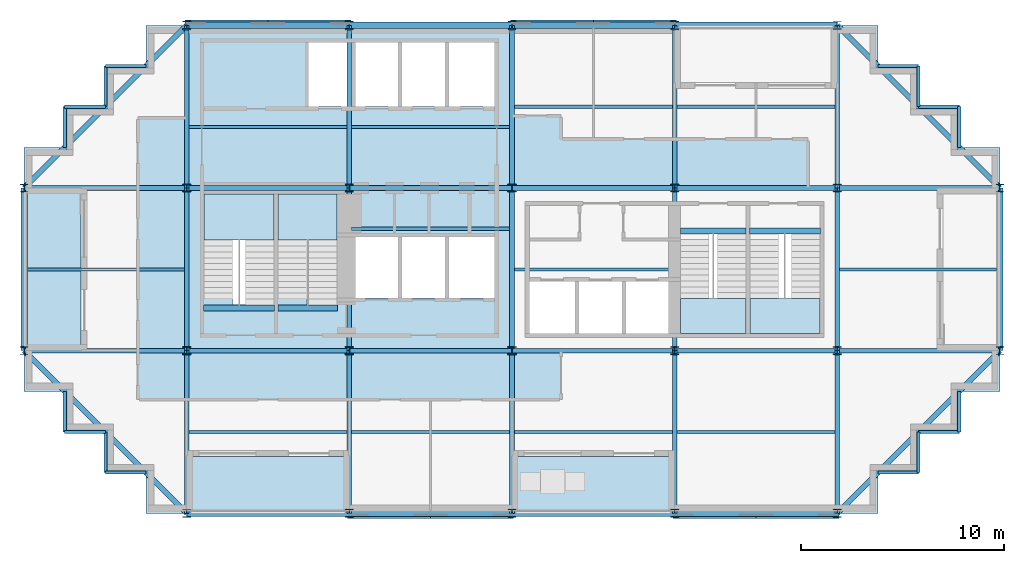
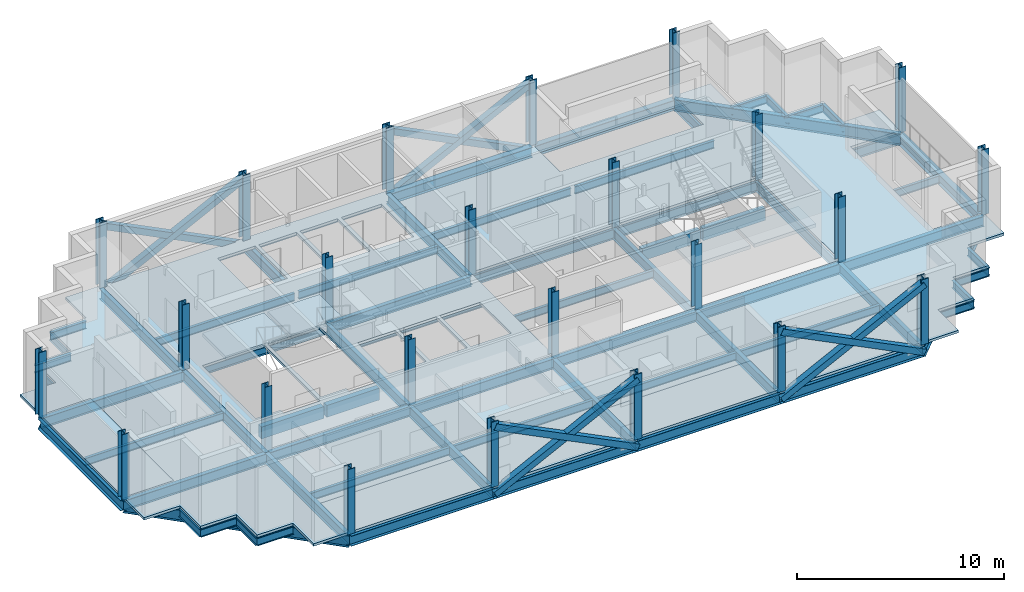
# One storey, part 1 of 8: 73 beams, 24 columns, 9 slabs, 8 members, 4 elements without a shape of their own.
"""IFC4 building model written with IfcOpenShell, lengths in metres."""

import ifcopenshell
import ifcopenshell.guid

model = None  # the IFC model being written
_history = None  # IfcOwnerHistory: only IFC2X3 demands one
_inside = {}  # id of a spatial element -> (the spatial element, [elements in it])
_under = {}  # id of a project, library or spatial element -> (it, [spatial elements below it])
_declared = {}  # id of a project -> (the project, [libraries it declares])
_typed = {}  # id of a type object -> (the type object, [elements of that type])
_made_of = {}  # id of a material, layer set ... -> (it, [elements and type objects made of it])


def new_model(schema):
    """Start an empty IFC model of exactly this schema.

    Asked for "IFC4X3", IfcOpenShell would pick the latest addendum, in which some entities
    have other attributes; the version numbers below select the first issue.
    IFC2X3 requires an IfcOwnerHistory on every rooted entity: one is made here for all.
    """
    global model, _history
    if schema == "IFC4X3":
        model = ifcopenshell.file(schema_version=(4, 3, 0, 0))
    else:
        model = ifcopenshell.file(schema=schema)
    _inside.clear()
    _under.clear()
    _declared.clear()
    _typed.clear()
    _made_of.clear()
    _history = None
    if model.schema == "IFC2X3":
        org = make("IfcOrganization", Name="unknown")
        user = make(
            "IfcPersonAndOrganization",
            ThePerson=make("IfcPerson", FamilyName="unknown"),
            TheOrganization=org,
        )
        app = make(
            "IfcApplication",
            ApplicationDeveloper=org,
            Version="unknown",
            ApplicationFullName="unknown",
            ApplicationIdentifier="unknown",
        )
        _history = make(
            "IfcOwnerHistory",
            OwningUser=user,
            OwningApplication=app,
            ChangeAction="ADDED",
            CreationDate=0,
        )
    return model


def make(cls, **values):
    """One entity of the class cls with the attributes given. An attribute that is None is left unset."""
    return model.create_entity(
        cls, **{name: value for name, value in values.items() if value is not None}
    )


def rooted(cls, **values):
    """An entity with a GlobalId (a new one), such as an element, a storey or a relation."""
    return make(cls, GlobalId=ifcopenshell.guid.new(), OwnerHistory=_history, **values)


def si_unit(unit_type, name, prefix=None):
    """IfcSIUnit, for example si_unit("LENGTHUNIT", "METRE", prefix="MILLI")."""
    return make("IfcSIUnit", UnitType=unit_type, Prefix=prefix, Name=name)


def assignment(units):
    """IfcUnitAssignment: the units of a project."""
    return None if units is None else make("IfcUnitAssignment", Units=units)


def point(xyz):
    """IfcCartesianPoint."""
    return None if xyz is None else make("IfcCartesianPoint", Coordinates=xyz)


def direction(xyz):
    """IfcDirection."""
    return None if xyz is None else make("IfcDirection", DirectionRatios=xyz)


def frame(location, z_axis=None, x_axis=None):
    """IfcAxis2Placement3D, a coordinate frame: its origin and axes. An axis left out is left unset."""
    return make(
        "IfcAxis2Placement3D",
        Location=point(location),
        Axis=direction(z_axis),
        RefDirection=direction(x_axis),
    )


def frame_2d(location, x_axis=None):
    """IfcAxis2Placement2D, a coordinate frame in the plane: its origin and x axis."""
    return make(
        "IfcAxis2Placement2D", Location=point(location), RefDirection=direction(x_axis)
    )


def origin():
    """The frame at (0, 0, 0) with its axes left unset."""
    return frame((0.0, 0.0, 0.0))


def origin_2d():
    """The frame at (0, 0) in the plane with its x axis left unset."""
    return frame_2d((0.0, 0.0))


def place(relative_to, where):
    """IfcLocalPlacement: puts the frame where relative to a parent placement (None: the world)."""
    return make(
        "IfcLocalPlacement", PlacementRelTo=relative_to, RelativePlacement=where
    )


def context(
    kind, dimensions, precision=None, world=None, true_north=None, identifier=None
):
    """IfcGeometricRepresentationContext, for example the 3D "Model" context."""
    return make(
        "IfcGeometricRepresentationContext",
        ContextIdentifier=identifier,
        ContextType=kind,
        CoordinateSpaceDimension=dimensions,
        Precision=precision,
        WorldCoordinateSystem=world,
        TrueNorth=true_north,
    )


def subcontext(parent, identifier, kind, view, scale=None):
    """IfcGeometricRepresentationSubContext, for example "Body" below "Model"."""
    return make(
        "IfcGeometricRepresentationSubContext",
        ContextIdentifier=identifier,
        ContextType=kind,
        ParentContext=parent,
        TargetScale=scale,
        TargetView=view,
    )


def project(units=None, contexts=None):
    """IfcProject with its units and contexts."""
    return rooted(
        "IfcProject",
        Name="project",
        RepresentationContexts=contexts,
        UnitsInContext=assignment(units),
    )


def spatial(cls, under=None, at=None, **own):
    """A site, building, storey or space (cls), placed at a placement, below another one or the project."""
    s = rooted(cls, ObjectPlacement=at, **own)
    if under is not None:
        _under.setdefault(under.id(), (under, []))[1].append(s)
    return s


def polyline(points):
    """IfcPolyline through the points."""
    return make("IfcPolyline", Points=[point(p) for p in points])


def profile(cls, at=None, kind="AREA", **sizes):
    """A parametric profile (cls). Its sizes go by their IFC names, for example OverallWidth=200.0."""
    return make(cls, ProfileType=kind, Position=at, **sizes)


def rectangle(**sizes):
    """IfcRectangleProfileDef."""
    return profile("IfcRectangleProfileDef", **sizes)


def hollow_rectangle(**sizes):
    """IfcRectangleHollowProfileDef."""
    return profile("IfcRectangleHollowProfileDef", **sizes)


def i_section(**sizes):
    """IfcIShapeProfileDef."""
    return profile("IfcIShapeProfileDef", **sizes)


def outline(outer, holes=None, kind="AREA"):
    """IfcArbitraryClosedProfileDef: a profile drawn as a closed curve; with holes, ...WithVoids."""
    if holes is None:
        return make("IfcArbitraryClosedProfileDef", ProfileType=kind, OuterCurve=outer)
    return make(
        "IfcArbitraryProfileDefWithVoids",
        ProfileType=kind,
        OuterCurve=outer,
        InnerCurves=holes,
    )


def extrude(swept, where, along, depth):
    """IfcExtrudedAreaSolid: the profile swept, set in the frame where, extruded along a direction by depth."""
    return make(
        "IfcExtrudedAreaSolid",
        SweptArea=swept,
        Position=where,
        ExtrudedDirection=direction(along),
        Depth=depth,
    )


def shape(context_of_items, identifier, shape_type, items):
    """IfcShapeRepresentation: the items that make up one representation, for example the "Body"."""
    return make(
        "IfcShapeRepresentation",
        ContextOfItems=context_of_items,
        RepresentationIdentifier=identifier,
        RepresentationType=shape_type,
        Items=items,
    )


def material(Name=None, Category=None):
    """IfcMaterial."""
    return make("IfcMaterial", Name=Name, Category=Category)


def layer(
    of_material, thickness, ventilated=None, Name=None, Category=None, Priority=None
):
    """IfcMaterialLayer: one layer of a wall or slab, of a material (None: an air gap)."""
    return make(
        "IfcMaterialLayer",
        Material=of_material,
        LayerThickness=thickness,
        IsVentilated=ventilated,
        Name=Name,
        Category=Category,
        Priority=Priority,
    )


def layer_set(layers, Name=None):
    """IfcMaterialLayerSet."""
    return make("IfcMaterialLayerSet", MaterialLayers=layers, LayerSetName=Name)


def material_profile(
    of_material, cross_section, Name=None, Category=None, Priority=None
):
    """IfcMaterialProfile: a cross section and its material."""
    return make(
        "IfcMaterialProfile",
        Name=Name,
        Material=of_material,
        Profile=cross_section,
        Priority=Priority,
        Category=Category,
    )


def profile_set(profiles, Name=None, composite=None):
    """IfcMaterialProfileSet."""
    return make(
        "IfcMaterialProfileSet",
        Name=Name,
        MaterialProfiles=profiles,
        CompositeProfile=composite,
    )


def made_of(thing, what):
    """Note that an element or type object is made of a material, layer set ...; save() writes the relation."""
    if what is not None:
        _made_of.setdefault(what.id(), (what, []))[1].append(thing)
    return thing


def type_object(cls, material=None, **own):
    """A type object (cls), such as IfcWallType, which elements share."""
    return made_of(rooted(cls, **own), material)


def element(
    cls,
    number,
    at=None,
    inside=None,
    cuts=None,
    type_object=None,
    material=None,
    context=None,
    identifier="Body",
    shape_type=None,
    held_by="IfcProductDefinitionShape",
    body=None,
    shapes=None,
    **own,
):
    """One element of the class cls, such as IfcWall. Its Tag is "e" and its number.

    at: its placement. inside: the storey or other place that contains it. cuts: it is an
    opening in that element (IfcRelVoidsElement). A single representation is given by context,
    identifier, shape_type and body (its items); several are given by shapes. held_by: the class
    of the entity that holds the representations. save() writes the other relations.
    """
    e = rooted(cls, Tag="e%d" % number, ObjectPlacement=at, **own)
    if body is not None:
        shapes = [shape(context, identifier, shape_type, body)]
    if shapes is not None:
        e.Representation = make(held_by, Representations=shapes)
    if inside is not None:
        _inside.setdefault(inside.id(), (inside, []))[1].append(e)
    if cuts is not None:
        rooted(
            "IfcRelVoidsElement", RelatingBuildingElement=cuts, RelatedOpeningElement=e
        )
    if type_object is not None:
        _typed.setdefault(type_object.id(), (type_object, []))[1].append(e)
    return made_of(e, material)


def aggregate(whole, parts):
    """IfcRelAggregates: a whole, such as a stair, and the parts it consists of."""
    return rooted("IfcRelAggregates", RelatingObject=whole, RelatedObjects=parts)


def save(model, path):
    """Write the relations noted so far, then the file.

    IfcRelAggregates (storeys below a building ...), IfcRelContainedInSpatialStructure (elements
    in a storey), IfcRelDefinesByType, IfcRelAssociatesMaterial and IfcRelDeclares: one each for
    every whole, place, type object, material and project.
    """
    for whole, parts in _under.values():
        aggregate(whole, parts)
    for where, things in _inside.values():
        rooted(
            "IfcRelContainedInSpatialStructure",
            RelatedElements=things,
            RelatingStructure=where,
        )
    for kind, things in _typed.values():
        rooted("IfcRelDefinesByType", RelatedObjects=things, RelatingType=kind)
    for what, things in _made_of.values():
        rooted("IfcRelAssociatesMaterial", RelatedObjects=things, RelatingMaterial=what)
    for by, libraries in _declared.values():
        rooted("IfcRelDeclares", RelatingContext=by, RelatedDefinitions=libraries)
    model.write(path)


model = new_model("IFC4")

# Units and contexts
model_context = context("Model", 3, precision=1e-05, world=origin(), true_north=direction((0.0, 1.0)))
body_context = subcontext(model_context, "Body", "Model", "MODEL_VIEW")
ifc_project = project(units=[si_unit("LENGTHUNIT", "METRE"), si_unit("AREAUNIT", "SQUARE_METRE"), si_unit("VOLUMEUNIT", "CUBIC_METRE"), si_unit("PLANEANGLEUNIT", "RADIAN"), si_unit("MASSUNIT", "GRAM", prefix="KILO")], contexts=[model_context])

# Site, building, storey
site_placement = place(None, origin())
site = spatial("IfcSite", under=ifc_project, at=site_placement, CompositionType="ELEMENT")
building_placement = place(site_placement, origin())
building = spatial("IfcBuilding", under=site, at=building_placement, Name="Immortelle Media Tower", CompositionType="ELEMENT")
storey_placement = place(building_placement, frame((0.0, 0.0, 201.0)))
storey = spatial("IfcBuildingStorey", under=building, at=storey_placement, Name="L42", CompositionType="ELEMENT", Elevation=201.0)

# Columns
ifc_material_1 = material(Name="Steel ASTM A992 Gr 50", Category="steel")
ifc_material_profile_1 = material_profile(ifc_material_1, i_section(OverallWidth=0.39404296875, OverallDepth=0.3759765625, WebThickness=0.01708984375, FlangeThickness=0.028076171875, at=origin_2d()), Name="W14x145")
ifc_profile_set_1 = profile_set([ifc_material_profile_1], Name="Steel ASTM A992 Gr 50")
column_type_1 = type_object("IfcColumnType", Name="W14x145 column", PredefinedType="COLUMN", material=ifc_profile_set_1)
for number, where, z_axis, x_axis, name in (
    (1, (8.0, 8.0, 0.0), (0.0, 0.0, 1.0), (1.0, 0.0, 0.0), "Column 2/B"),
    (2, (8.0, 16.0, 0.0), (0.0, 0.0, 1.0), (1.0, 0.0, 0.0), "Column 2/C"),
    (3, (16.0, 8.0, 0.0), (0.0, 0.0, 1.0), (1.0, 0.0, 0.0), "Column 3/B"),
    (4, (16.0, 16.0, 0.0), (0.0, 0.0, 1.0), (1.0, 0.0, 0.0), "Column 3/C"),
    (5, (32.0, 8.0, 0.0), (0.0, 0.0, 1.0), (1.0, 0.0, 0.0), "Column 5/B"),
    (6, (32.0, 16.0, 0.0), (0.0, 0.0, 1.0), (1.0, 0.0, 0.0), "Column 5/C"),
    (7, (40.0, 8.0, 0.0), (0.0, 0.0, 1.0), (1.0, 0.0, 0.0), "Column 6/B"),
    (8, (40.0, 16.0, 0.0), (0.0, 0.0, 1.0), (1.0, 0.0, 0.0), "Column 6/C"),
):
    element("IfcColumn", number, at=place(storey_placement, frame(where, z_axis=z_axis, x_axis=x_axis)), inside=storey, type_object=column_type_1, Name=name, PredefinedType="COLUMN", context=body_context, shape_type="SweptSolid", body=[
        extrude(i_section(OverallWidth=0.39404296875, OverallDepth=0.3759765625, WebThickness=0.01708984375, FlangeThickness=0.028076171875, at=origin_2d()), origin(), (0.0, 0.0, 1.0), 3.85009765625),
    ])
ifc_material_profile_2 = material_profile(ifc_material_1, i_section(OverallWidth=0.39892578125, OverallDepth=0.385986328125, WebThickness=0.02099609375, FlangeThickness=0.032958984375, at=origin_2d()), Name="W14x176")
ifc_profile_set_2 = profile_set([ifc_material_profile_2], Name="Steel ASTM A992 Gr 50")
column_type_2 = type_object("IfcColumnType", Name="W14x176 column", PredefinedType="COLUMN", material=ifc_profile_set_2)
for number, where, z_axis, x_axis, name in (
    (9, (24.0, 8.0, 0.0), (0.0, 0.0, 1.0), (1.0, 0.0, 0.0), "Column 4/B"),
    (10, (24.0, 16.0, 0.0), (0.0, 0.0, 1.0), (1.0, 0.0, 0.0), "Column 4/C"),
):
    element("IfcColumn", number, at=place(storey_placement, frame(where, z_axis=z_axis, x_axis=x_axis)), inside=storey, type_object=column_type_2, Name=name, PredefinedType="COLUMN", context=body_context, shape_type="SweptSolid", body=[
        extrude(i_section(OverallWidth=0.39892578125, OverallDepth=0.385986328125, WebThickness=0.02099609375, FlangeThickness=0.032958984375, at=origin_2d()), origin(), (0.0, 0.0, 1.0), 3.85009765625),
    ])
ifc_material_profile_3 = material_profile(ifc_material_1, i_section(OverallWidth=0.40087890625, OverallDepth=0.39892578125, WebThickness=0.02490234375, FlangeThickness=0.0400390625, at=origin_2d()), Name="W14x211")
ifc_profile_set_3 = profile_set([ifc_material_profile_3], Name="Steel ASTM A992 Gr 50")
column_type_3 = type_object("IfcColumnType", Name="W14x211 column", PredefinedType="COLUMN", material=ifc_profile_set_3)
for number, where, z_axis, x_axis, name in (
    (11, (0.0, 8.0, 0.0), (0.0, 0.0, 1.0), (1.0, 0.0, 0.0), "Column 1/B"),
    (12, (0.0, 16.0, 0.0), (0.0, 0.0, 1.0), (1.0, 0.0, 0.0), "Column 1/C"),
    (13, (8.0, 0.0, 0.0), (0.0, 0.0, 1.0), (1.0, 0.0, 0.0), "Column 2/A"),
    (14, (40.0, 24.0, 0.0), (0.0, 0.0, 1.0), (1.0, 0.0, 0.0), "Column 6/D"),
    (15, (48.0, 8.0, 0.0), (0.0, 0.0, 1.0), (1.0, 0.0, 0.0), "Column 7/B"),
    (16, (48.0, 16.0, 0.0), (0.0, 0.0, 1.0), (1.0, 0.0, 0.0), "Column 7/C"),
):
    element("IfcColumn", number, at=place(storey_placement, frame(where, z_axis=z_axis, x_axis=x_axis)), inside=storey, type_object=column_type_3, Name=name, PredefinedType="COLUMN", context=body_context, shape_type="SweptSolid", body=[
        extrude(i_section(OverallWidth=0.40087890625, OverallDepth=0.39892578125, WebThickness=0.02490234375, FlangeThickness=0.0400390625, at=origin_2d()), origin(), (0.0, 0.0, 1.0), 3.85009765625),
    ])
ifc_material_profile_4 = material_profile(ifc_material_1, i_section(OverallWidth=0.410888671875, OverallDepth=0.43408203125, WebThickness=0.035888671875, FlangeThickness=0.056884765625, at=origin_2d()), Name="W14x311")
ifc_profile_set_4 = profile_set([ifc_material_profile_4], Name="Steel ASTM A992 Gr 50")
column_type_4 = type_object("IfcColumnType", Name="W14x311 column", PredefinedType="COLUMN", material=ifc_profile_set_4)
for number, where, z_axis, x_axis, name in (
    (17, (8.0, 24.0, 0.0), (0.0, 0.0, 1.0), (1.0, 0.0, 0.0), "Column 2/D"),
    (18, (16.0, 0.0, 0.0), (0.0, 0.0, 1.0), (1.0, 0.0, 0.0), "Column 3/A"),
    (19, (16.0, 24.0, 0.0), (0.0, 0.0, 1.0), (1.0, 0.0, 0.0), "Column 3/D"),
    (20, (24.0, 0.0, 0.0), (0.0, 0.0, 1.0), (1.0, 0.0, 0.0), "Column 4/A"),
    (21, (24.0, 24.0, 0.0), (0.0, 0.0, 1.0), (1.0, 0.0, 0.0), "Column 4/D"),
    (22, (32.0, 0.0, 0.0), (0.0, 0.0, 1.0), (1.0, 0.0, 0.0), "Column 5/A"),
    (23, (32.0, 24.0, 0.0), (0.0, 0.0, 1.0), (1.0, 0.0, 0.0), "Column 5/D"),
    (24, (40.0, 0.0, 0.0), (0.0, 0.0, 1.0), (1.0, 0.0, 0.0), "Column 6/A"),
):
    element("IfcColumn", number, at=place(storey_placement, frame(where, z_axis=z_axis, x_axis=x_axis)), inside=storey, type_object=column_type_4, Name=name, PredefinedType="COLUMN", context=body_context, shape_type="SweptSolid", body=[
        extrude(i_section(OverallWidth=0.410888671875, OverallDepth=0.43408203125, WebThickness=0.035888671875, FlangeThickness=0.056884765625, at=origin_2d()), origin(), (0.0, 0.0, 1.0), 3.85009765625),
    ])

# Members
ifc_material_2 = material(Name="Steel ASTM A500 Gr C", Category="steel")
ifc_material_profile_5 = material_profile(ifc_material_2, hollow_rectangle(XDim=0.35595703125, YDim=0.35595703125, WallThickness=0.011962890625, at=origin_2d()), Name="HSS14x14x1/2 brace")
ifc_profile_set_5 = profile_set([ifc_material_profile_5], Name="Steel ASTM A500 Gr C")
member_type = type_object("IfcMemberType", Name="HSS14x14x1/2 brace", PredefinedType="BRACE", material=ifc_profile_set_5)
for number, where, z_axis, x_axis, name in (
    (25, (16.0, -0.087890625, -0.4560546875), (0.894427191, 0.0, 0.4472135955), (0.0, 1.0, 0.0), "Brace A/3-4 A"),
    (26, (16.0, -0.087890625, 3.5439453125), (0.894427191, 0.0, -0.4472135955), (0.0, 1.0, 0.0), "Brace A/3-4 B"),
    (27, (32.0, -0.087890625, -0.4560546875), (0.894427191, 0.0, 0.4472135955), (0.0, 1.0, 0.0), "Brace A/5-6 A"),
    (28, (32.0, -0.087890625, 3.5439453125), (0.894427191, 0.0, -0.4472135955), (0.0, 1.0, 0.0), "Brace A/5-6 B"),
    (29, (32.0, 24.087890625, -0.4560546875), (-0.894427191, 0.0, 0.4472135955), (0.0, -1.0, 0.0), "Brace D/4-5 A"),
    (30, (32.0, 24.087890625, 3.5439453125), (-0.894427191, 0.0, -0.4472135955), (0.0, -1.0, 0.0), "Brace D/4-5 B"),
    (31, (16.0, 24.087890625, -0.4560546875), (-0.894427191, 0.0, 0.4472135955), (0.0, -1.0, 0.0), "Brace D/2-3 A"),
    (32, (16.0, 24.087890625, 3.5439453125), (-0.894427191, 0.0, -0.4472135955), (0.0, -1.0, 0.0), "Brace D/2-3 B"),
):
    element("IfcMember", number, at=place(storey_placement, frame(where, z_axis=z_axis, x_axis=x_axis)), inside=storey, type_object=member_type, Name=name, PredefinedType="BRACE", context=body_context, shape_type="SweptSolid", body=[
        extrude(hollow_rectangle(XDim=0.35595703125, YDim=0.35595703125, WallThickness=0.011962890625, at=origin_2d()), origin(), (0.0, 0.0, 1.0), 8.9443359375),
    ])

# Beams
ifc_material_3 = material(Name="Concrete C50/60", Category="concrete")
ifc_material_profile_6 = material_profile(ifc_material_3, rectangle(XDim=0.300048828125, YDim=0.699951171875, at=origin_2d()), Name="RC 300x700")
ifc_profile_set_6 = profile_set([ifc_material_profile_6], Name="Concrete C50/60")
beam_type_1 = type_object("IfcBeamType", Name="Stair trimmer beam 300 x 700", PredefinedType="BEAM", material=ifc_profile_set_6)
beam_1_placement = place(storey_placement, frame((8.830078125, 10.10498046875, -0.5), z_axis=(1.0, 0.0, 0.0), x_axis=(0.0, 1.0, 0.0)))
element("IfcBeam", 33, at=beam_1_placement, inside=storey, type_object=beam_type_1, Name="Stair trimmer beam SW1", PredefinedType="BEAM", context=body_context, shape_type="SweptSolid", body=[
    extrude(rectangle(XDim=0.300048828125, YDim=0.699951171875, at=origin_2d()), origin(), (0.0, 0.0, 1.0), 3.489990234375),
])
beam_2_placement = place(storey_placement, frame((12.47998046875, 10.10498046875, -0.5), z_axis=(1.0, 0.0, 0.0), x_axis=(0.0, 1.0, 0.0)))
element("IfcBeam", 34, at=beam_2_placement, inside=storey, type_object=beam_type_1, Name="Stair trimmer beam SW2", PredefinedType="BEAM", context=body_context, shape_type="SweptSolid", body=[
    extrude(rectangle(XDim=0.300048828125, YDim=0.699951171875, at=origin_2d()), origin(), (0.0, 0.0, 1.0), 2.93994140625),
])
beam_3_placement = place(storey_placement, frame((32.280029296875, 13.89501953125, -0.5), z_axis=(1.0, 0.0, 0.0), x_axis=(0.0, 1.0, 0.0)))
element("IfcBeam", 35, at=beam_3_placement, inside=storey, type_object=beam_type_1, Name="Stair trimmer beam SE1", PredefinedType="BEAM", context=body_context, shape_type="SweptSolid", body=[
    extrude(rectangle(XDim=0.300048828125, YDim=0.699951171875, at=origin_2d()), origin(), (0.0, 0.0, 1.0), 3.239990234375),
])
beam_4_placement = place(storey_placement, frame((35.679931640625, 13.89501953125, -0.5), z_axis=(1.0, 0.0, 0.0), x_axis=(0.0, 1.0, 0.0)))
element("IfcBeam", 36, at=beam_4_placement, inside=storey, type_object=beam_type_1, Name="Stair trimmer beam SE2", PredefinedType="BEAM", context=body_context, shape_type="SweptSolid", body=[
    extrude(rectangle(XDim=0.300048828125, YDim=0.699951171875, at=origin_2d()), origin(), (0.0, 0.0, 1.0), 3.489990234375),
])
ifc_material_profile_7 = material_profile(ifc_material_1, i_section(OverallWidth=0.153076171875, OverallDepth=0.455078125, WebThickness=0.008056640625, FlangeThickness=0.012939453125, at=origin_2d()), Name="W18x40")
ifc_profile_set_7 = profile_set([ifc_material_profile_7], Name="Steel ASTM A992 Gr 50")
beam_type_2 = type_object("IfcBeamType", Name="W18x40 secondary beam", PredefinedType="JOIST", material=ifc_profile_set_7)
for number, where, z_axis, x_axis, name in (
    (37, (8.114013671875, 4.0, -0.37744140625), (1.0, 0.0, 0.0), (0.0, 1.0, 0.0), "Beam A-B/2-3"),
    (38, (16.114013671875, 4.0, -0.37744140625), (1.0, 0.0, 0.0), (0.0, 1.0, 0.0), "Beam A-B/3-4"),
    (39, (24.114013671875, 4.0, -0.37744140625), (1.0, 0.0, 0.0), (0.0, 1.0, 0.0), "Beam A-B/4-5"),
    (40, (32.114013671875, 4.0, -0.37744140625), (1.0, 0.0, 0.0), (0.0, 1.0, 0.0), "Beam A-B/5-6"),
):
    element("IfcBeam", number, at=place(storey_placement, frame(where, z_axis=z_axis, x_axis=x_axis)), inside=storey, type_object=beam_type_2, Name=name, PredefinedType="JOIST", context=body_context, shape_type="SweptSolid", body=[
        extrude(i_section(OverallWidth=0.153076171875, OverallDepth=0.455078125, WebThickness=0.008056640625, FlangeThickness=0.012939453125, at=origin_2d()), origin(), (0.0, 0.0, 1.0), 7.77197265625),
    ])
beam_5_placement = place(storey_placement, frame((0.162109375, 12.0, -0.37744140625), z_axis=(1.0, 0.0, 0.0), x_axis=(0.0, 1.0, 0.0)))
element("IfcBeam", 41, at=beam_5_placement, inside=storey, type_object=beam_type_2, Name="Beam B-C/1-2", PredefinedType="JOIST", context=body_context, shape_type="SweptSolid", body=[
    extrude(i_section(OverallWidth=0.153076171875, OverallDepth=0.455078125, WebThickness=0.008056640625, FlangeThickness=0.012939453125, at=origin_2d()), origin(), (0.0, 0.0, 1.0), 7.723876953125),
])
for number, where, z_axis, x_axis, name in (
    (42, (16.114013671875, 14.0, -0.37744140625), (1.0, 0.0, 0.0), (0.0, 1.0, 0.0), "Beam B-C/3-4"),
    (43, (24.114013671875, 12.0, -0.37744140625), (1.0, 0.0, 0.0), (0.0, 1.0, 0.0), "Beam B-C/4-5"),
):
    element("IfcBeam", number, at=place(storey_placement, frame(where, z_axis=z_axis, x_axis=x_axis)), inside=storey, type_object=beam_type_2, Name=name, PredefinedType="JOIST", context=body_context, shape_type="SweptSolid", body=[
        extrude(i_section(OverallWidth=0.153076171875, OverallDepth=0.455078125, WebThickness=0.008056640625, FlangeThickness=0.012939453125, at=origin_2d()), origin(), (0.0, 0.0, 1.0), 7.77197265625),
    ])
beam_6_placement = place(storey_placement, frame((40.114013671875, 12.0, -0.37744140625), z_axis=(1.0, 0.0, 0.0), x_axis=(0.0, 1.0, 0.0)))
element("IfcBeam", 44, at=beam_6_placement, inside=storey, type_object=beam_type_2, Name="Beam B-C/6-7", PredefinedType="JOIST", context=body_context, shape_type="SweptSolid", body=[
    extrude(i_section(OverallWidth=0.153076171875, OverallDepth=0.455078125, WebThickness=0.008056640625, FlangeThickness=0.012939453125, at=origin_2d()), origin(), (0.0, 0.0, 1.0), 7.723876953125),
])
for number, where, z_axis, x_axis, name in (
    (45, (8.114013671875, 19.0, -0.37744140625), (1.0, 0.0, 0.0), (0.0, 1.0, 0.0), "Beam C-D/2-3"),
    (46, (16.114013671875, 19.0, -0.37744140625), (1.0, 0.0, 0.0), (0.0, 1.0, 0.0), "Beam C-D/3-4"),
    (47, (24.114013671875, 20.0, -0.37744140625), (1.0, 0.0, 0.0), (0.0, 1.0, 0.0), "Beam C-D/4-5"),
    (48, (32.114013671875, 20.0, -0.37744140625), (1.0, 0.0, 0.0), (0.0, 1.0, 0.0), "Beam C-D/5-6"),
):
    element("IfcBeam", number, at=place(storey_placement, frame(where, z_axis=z_axis, x_axis=x_axis)), inside=storey, type_object=beam_type_2, Name=name, PredefinedType="JOIST", context=body_context, shape_type="SweptSolid", body=[
        extrude(i_section(OverallWidth=0.153076171875, OverallDepth=0.455078125, WebThickness=0.008056640625, FlangeThickness=0.012939453125, at=origin_2d()), origin(), (0.0, 0.0, 1.0), 7.77197265625),
    ])
ifc_material_profile_8 = material_profile(ifc_material_1, i_section(OverallWidth=0.153076171875, OverallDepth=0.455078125, WebThickness=0.008056640625, FlangeThickness=0.012939453125, at=origin_2d()), Name="W18x40")
ifc_profile_set_8 = profile_set([ifc_material_profile_8], Name="Steel ASTM A992 Gr 50")
beam_type_3 = type_object("IfcBeamType", Name="W18x40 serration edge beam", PredefinedType="SPANDREL", material=ifc_profile_set_8)
for number, where, z_axis, x_axis, name in (
    (49, (6.0, 2.0, -0.37744140625), (-1.0, 0.0, 0.0), (0.0, -1.0, 0.0), "Corner edge beam 1 at 1/A"),
    (50, (4.0, 2.0, -0.37744140625), (0.0, 1.0, 0.0), (-1.0, 0.0, 0.0), "Corner edge beam 2 at 1/A"),
    (51, (4.0, 4.0, -0.37744140625), (-1.0, 0.0, 0.0), (0.0, -1.0, 0.0), "Corner edge beam 3 at 1/A"),
    (52, (2.0, 4.0, -0.37744140625), (0.0, 1.0, 0.0), (-1.0, 0.0, 0.0), "Corner edge beam 4 at 1/A"),
    (53, (2.0, 18.0, -0.37744140625), (0.0, 1.0, 0.0), (-1.0, 0.0, 0.0), "Corner edge beam 1 at 1/D"),
    (54, (2.0, 20.0, -0.37744140625), (1.0, 0.0, 0.0), (0.0, 1.0, 0.0), "Corner edge beam 2 at 1/D"),
    (55, (4.0, 20.0, -0.37744140625), (0.0, 1.0, 0.0), (-1.0, 0.0, 0.0), "Corner edge beam 3 at 1/D"),
    (56, (4.0, 22.0, -0.37744140625), (1.0, 0.0, 0.0), (0.0, 1.0, 0.0), "Corner edge beam 4 at 1/D"),
    (57, (46.0, 6.0, -0.37744140625), (0.0, -1.0, 0.0), (1.0, 0.0, 0.0), "Corner edge beam 1 at 7/A"),
    (58, (46.0, 4.0, -0.37744140625), (-1.0, 0.0, 0.0), (0.0, -1.0, 0.0), "Corner edge beam 2 at 7/A"),
    (59, (44.0, 4.0, -0.37744140625), (0.0, -1.0, 0.0), (1.0, 0.0, 0.0), "Corner edge beam 3 at 7/A"),
    (60, (44.0, 2.0, -0.37744140625), (-1.0, 0.0, 0.0), (0.0, -1.0, 0.0), "Corner edge beam 4 at 7/A"),
    (61, (42.0, 22.0, -0.37744140625), (1.0, 0.0, 0.0), (0.0, 1.0, 0.0), "Corner edge beam 1 at 7/D"),
    (62, (44.0, 22.0, -0.37744140625), (0.0, -1.0, 0.0), (1.0, 0.0, 0.0), "Corner edge beam 2 at 7/D"),
    (63, (44.0, 20.0, -0.37744140625), (1.0, 0.0, 0.0), (0.0, 1.0, 0.0), "Corner edge beam 3 at 7/D"),
    (64, (46.0, 20.0, -0.37744140625), (0.0, -1.0, 0.0), (1.0, 0.0, 0.0), "Corner edge beam 4 at 7/D"),
):
    element("IfcBeam", number, at=place(storey_placement, frame(where, z_axis=z_axis, x_axis=x_axis)), inside=storey, type_object=beam_type_3, Name=name, PredefinedType="SPANDREL", context=body_context, shape_type="SweptSolid", body=[
        extrude(i_section(OverallWidth=0.153076171875, OverallDepth=0.455078125, WebThickness=0.008056640625, FlangeThickness=0.012939453125, at=origin_2d()), origin(), (0.0, 0.0, 1.0), 2.0),
    ])
ifc_material_profile_9 = material_profile(ifc_material_1, i_section(OverallWidth=0.323974609375, OverallDepth=0.612060546875, WebThickness=0.012939453125, FlangeThickness=0.01904296875, at=origin_2d()), Name="W24x104")
ifc_profile_set_9 = profile_set([ifc_material_profile_9], Name="Steel ASTM A992 Gr 50")
beam_type_4 = type_object("IfcBeamType", Name="W24x104 perimeter girder", PredefinedType="SPANDREL", material=ifc_profile_set_9)
for number, where, z_axis, x_axis, name in (
    (65, (0.0, 8.0, -0.4560546875), (0.0, 1.0, 0.0), (-1.0, 0.0, 0.0), "Girder 1/B-C"),
    (66, (8.0, 0.0, -0.4560546875), (1.0, 0.0, 0.0), (0.0, 1.0, 0.0), "Girder A/2-3"),
    (67, (8.0, 24.0, -0.4560546875), (1.0, 0.0, 0.0), (0.0, 1.0, 0.0), "Girder D/2-3"),
    (68, (16.0, 0.0, -0.4560546875), (1.0, 0.0, 0.0), (0.0, 1.0, 0.0), "Girder A/3-4"),
    (69, (16.0, 24.0, -0.4560546875), (1.0, 0.0, 0.0), (0.0, 1.0, 0.0), "Girder D/3-4"),
    (70, (24.0, 0.0, -0.4560546875), (1.0, 0.0, 0.0), (0.0, 1.0, 0.0), "Girder A/4-5"),
    (71, (24.0, 24.0, -0.4560546875), (1.0, 0.0, 0.0), (0.0, 1.0, 0.0), "Girder D/4-5"),
    (72, (32.0, 0.0, -0.4560546875), (1.0, 0.0, 0.0), (0.0, 1.0, 0.0), "Girder A/5-6"),
    (73, (32.0, 24.0, -0.4560546875), (1.0, 0.0, 0.0), (0.0, 1.0, 0.0), "Girder D/5-6"),
    (74, (48.0, 8.0, -0.4560546875), (0.0, 1.0, 0.0), (-1.0, 0.0, 0.0), "Girder 7/B-C"),
):
    element("IfcBeam", number, at=place(storey_placement, frame(where, z_axis=z_axis, x_axis=x_axis)), inside=storey, type_object=beam_type_4, Name=name, PredefinedType="SPANDREL", context=body_context, shape_type="SweptSolid", body=[
        extrude(i_section(OverallWidth=0.323974609375, OverallDepth=0.612060546875, WebThickness=0.012939453125, FlangeThickness=0.01904296875, at=origin_2d()), origin(), (0.0, 0.0, 1.0), 8.0),
    ])
ifc_material_profile_10 = material_profile(ifc_material_1, i_section(OverallWidth=0.22802734375, OverallDepth=0.60205078125, WebThickness=0.010986328125, FlangeThickness=0.014892578125, at=origin_2d()), Name="W24x68")
ifc_profile_set_10 = profile_set([ifc_material_profile_10], Name="Steel ASTM A992 Gr 50")
beam_type_5 = type_object("IfcBeamType", Name="W24x68 girder", PredefinedType="BEAM", material=ifc_profile_set_10)
for number, where, z_axis, x_axis, name in (
    (75, (0.0, 8.0, -0.450927734375), (1.0, 0.0, 0.0), (0.0, 1.0, 0.0), "Girder B/1-2"),
    (76, (0.0, 16.0, -0.450927734375), (1.0, 0.0, 0.0), (0.0, 1.0, 0.0), "Girder C/1-2"),
    (77, (8.0, 0.0, -0.450927734375), (0.0, 1.0, 0.0), (-1.0, 0.0, 0.0), "Girder 2/A-B"),
    (78, (8.0, 8.0, -0.450927734375), (1.0, 0.0, 0.0), (0.0, 1.0, 0.0), "Girder B/2-3"),
    (79, (8.0, 8.0, -0.450927734375), (0.0, 1.0, 0.0), (-1.0, 0.0, 0.0), "Girder 2/B-C"),
    (80, (8.0, 16.0, -0.450927734375), (1.0, 0.0, 0.0), (0.0, 1.0, 0.0), "Girder C/2-3"),
    (81, (8.0, 16.0, -0.450927734375), (0.0, 1.0, 0.0), (-1.0, 0.0, 0.0), "Girder 2/C-D"),
    (82, (16.0, 0.0, -0.450927734375), (0.0, 1.0, 0.0), (-1.0, 0.0, 0.0), "Girder 3/A-B"),
    (83, (16.0, 8.0, -0.450927734375), (1.0, 0.0, 0.0), (0.0, 1.0, 0.0), "Girder B/3-4"),
    (84, (16.0, 8.0, -0.450927734375), (0.0, 1.0, 0.0), (-1.0, 0.0, 0.0), "Girder 3/B-C"),
    (85, (16.0, 16.0, -0.450927734375), (1.0, 0.0, 0.0), (0.0, 1.0, 0.0), "Girder C/3-4"),
    (86, (16.0, 16.0, -0.450927734375), (0.0, 1.0, 0.0), (-1.0, 0.0, 0.0), "Girder 3/C-D"),
    (87, (24.0, 0.0, -0.450927734375), (0.0, 1.0, 0.0), (-1.0, 0.0, 0.0), "Girder 4/A-B"),
    (88, (24.0, 8.0, -0.450927734375), (1.0, 0.0, 0.0), (0.0, 1.0, 0.0), "Girder B/4-5"),
    (89, (24.0, 8.0, -0.450927734375), (0.0, 1.0, 0.0), (-1.0, 0.0, 0.0), "Girder 4/B-C"),
    (90, (24.0, 16.0, -0.450927734375), (1.0, 0.0, 0.0), (0.0, 1.0, 0.0), "Girder C/4-5"),
    (91, (24.0, 16.0, -0.450927734375), (0.0, 1.0, 0.0), (-1.0, 0.0, 0.0), "Girder 4/C-D"),
    (92, (32.0, 0.0, -0.450927734375), (0.0, 1.0, 0.0), (-1.0, 0.0, 0.0), "Girder 5/A-B"),
    (93, (32.0, 8.0, -0.450927734375), (1.0, 0.0, 0.0), (0.0, 1.0, 0.0), "Girder B/5-6"),
    (94, (32.0, 8.0, -0.450927734375), (0.0, 1.0, 0.0), (-1.0, 0.0, 0.0), "Girder 5/B-C"),
    (95, (32.0, 16.0, -0.450927734375), (1.0, 0.0, 0.0), (0.0, 1.0, 0.0), "Girder C/5-6"),
    (96, (32.0, 16.0, -0.450927734375), (0.0, 1.0, 0.0), (-1.0, 0.0, 0.0), "Girder 5/C-D"),
    (97, (40.0, 0.0, -0.450927734375), (0.0, 1.0, 0.0), (-1.0, 0.0, 0.0), "Girder 6/A-B"),
    (98, (40.0, 8.0, -0.450927734375), (1.0, 0.0, 0.0), (0.0, 1.0, 0.0), "Girder B/6-7"),
    (99, (40.0, 8.0, -0.450927734375), (0.0, 1.0, 0.0), (-1.0, 0.0, 0.0), "Girder 6/B-C"),
    (100, (40.0, 16.0, -0.450927734375), (1.0, 0.0, 0.0), (0.0, 1.0, 0.0), "Girder C/6-7"),
    (101, (40.0, 16.0, -0.450927734375), (0.0, 1.0, 0.0), (-1.0, 0.0, 0.0), "Girder 6/C-D"),
):
    element("IfcBeam", number, at=place(storey_placement, frame(where, z_axis=z_axis, x_axis=x_axis)), inside=storey, type_object=beam_type_5, Name=name, PredefinedType="BEAM", context=body_context, shape_type="SweptSolid", body=[
        extrude(i_section(OverallWidth=0.22802734375, OverallDepth=0.60205078125, WebThickness=0.010986328125, FlangeThickness=0.014892578125, at=origin_2d()), origin(), (0.0, 0.0, 1.0), 8.0),
    ])
ifc_material_profile_11 = material_profile(ifc_material_1, i_section(OverallWidth=0.257080078125, OverallDepth=0.693115234375, WebThickness=0.013916015625, FlangeThickness=0.02392578125, at=origin_2d()), Name="W27x114")
ifc_profile_set_11 = profile_set([ifc_material_profile_11], Name="Steel ASTM A992 Gr 50")
beam_type_6 = type_object("IfcBeamType", Name="W27x114 corner girder", PredefinedType="SPANDREL", material=ifc_profile_set_11)
for number, where, z_axis, x_axis, name in (
    (102, (8.0, 0.0, -0.49658203125), (-0.707106781187, 0.707106781187, 0.0), (-0.707106781187, -0.707106781187, 0.0), "Corner girder at 1/A"),
    (103, (0.0, 16.0, -0.49658203125), (0.707106781187, 0.707106781187, 0.0), (-0.707106781187, 0.707106781187, 0.0), "Corner girder at 1/D"),
    (104, (48.0, 8.0, -0.49658203125), (-0.707106781187, -0.707106781187, 0.0), (0.707106781187, -0.707106781187, 0.0), "Corner girder at 7/A"),
    (105, (40.0, 24.0, -0.49658203125), (0.707106781187, -0.707106781187, 0.0), (0.707106781187, 0.707106781187, 0.0), "Corner girder at 7/D"),
):
    element("IfcBeam", number, at=place(storey_placement, frame(where, z_axis=z_axis, x_axis=x_axis)), inside=storey, type_object=beam_type_6, Name=name, PredefinedType="SPANDREL", context=body_context, shape_type="SweptSolid", body=[
        extrude(i_section(OverallWidth=0.257080078125, OverallDepth=0.693115234375, WebThickness=0.013916015625, FlangeThickness=0.02392578125, at=origin_2d()), origin(), (0.0, 0.0, 1.0), 11.313720703125),
    ])

# Slabs
ifc_material_4 = material(Name="Concrete C50/60 composite deck", Category="concrete")
ifc_layer_1 = layer(ifc_material_4, 0.14990234375)
ifc_layer_set_1 = layer_set([ifc_layer_1], Name="Concrete C50/60 composite deck")
slab_type_1 = type_object("IfcSlabType", Name="Balcony slab 150", PredefinedType="FLOOR", material=ifc_layer_set_1)
slab_1_placement = place(storey_placement, frame((0.0, 0.0, -0.14990234375)))
element("IfcSlab", 106, at=slab_1_placement, inside=storey, type_object=slab_type_1, Name="Balcony slab L42 S0", PredefinedType="FLOOR", context=body_context, shape_type="SweptSolid", body=[
    extrude(outline(polyline([(16.0, 0.0), (16.0, 2.800048828125), (8.0, 2.800048828125), (8.0, 0.0), (16.0, 0.0)])), origin(), (0.0, 0.0, 1.0), 0.14990234375),
])
slab_2_placement = place(storey_placement, frame((0.0, 0.0, -0.14990234375)))
element("IfcSlab", 107, at=slab_2_placement, inside=storey, type_object=slab_type_1, Name="Balcony slab L42 S2", PredefinedType="FLOOR", context=body_context, shape_type="SweptSolid", body=[
    extrude(outline(polyline([(32.0, 0.0), (32.0, 2.800048828125), (24.0, 2.800048828125), (24.0, 0.0), (32.0, 0.0)])), origin(), (0.0, 0.0, 1.0), 0.14990234375),
])
slab_3_placement = place(storey_placement, frame((0.0, 0.0, -0.14990234375)))
element("IfcSlab", 108, at=slab_3_placement, inside=storey, type_object=slab_type_1, Name="Balcony slab L42 W0", PredefinedType="FLOOR", context=body_context, shape_type="SweptSolid", body=[
    extrude(outline(polyline([(2.800048828125, 8.0), (2.800048828125, 16.0), (0.0, 16.0), (0.0, 8.0), (2.800048828125, 8.0)])), origin(), (0.0, 0.0, 1.0), 0.14990234375),
])
ifc_layer_2 = layer(ifc_material_3, 0.14990234375)
ifc_layer_set_2 = layer_set([ifc_layer_2], Name="Concrete C50/60")
slab_type_2 = type_object("IfcSlabType", Name="Composite floor slab 150", PredefinedType="FLOOR", material=ifc_layer_set_2)
slab_4_placement = place(storey_placement, frame((0.0, 0.0, -0.14990234375)))
element("IfcSlab", 109, at=slab_4_placement, inside=storey, type_object=slab_type_2, Name="Floor slab L42", PredefinedType="FLOOR", context=body_context, shape_type="SweptSolid", body=[
    extrude(outline(polyline([(6.0, 0.0), (6.0, 2.0), (4.0, 2.0), (4.0, 4.0), (2.0, 4.0), (2.0, 6.0), (0.0, 6.0), (0.0, 8.0), (2.800048828125, 8.0), (2.800048828125, 16.0), (0.0, 16.0), (0.0, 18.0), (2.0, 18.0), (2.0, 20.0), (4.0, 20.0), (4.0, 22.0), (6.0, 22.0), (6.0, 24.0), (8.0, 24.0), (8.0, 8.0), (24.0, 8.0), (40.0, 8.0), (40.0, 16.0), (24.0, 16.0), (24.0, 21.199951171875), (24.0, 24.0), (32.0, 24.0), (32.0, 21.199951171875), (40.0, 21.199951171875), (40.0, 24.0), (42.0, 24.0), (42.0, 22.0), (44.0, 22.0), (44.0, 20.0), (46.0, 20.0), (46.0, 18.0), (48.0, 18.0), (48.0, 16.0), (45.199951171875, 16.0), (45.199951171875, 8.0), (48.0, 8.0), (48.0, 6.0), (46.0, 6.0), (46.0, 4.0), (44.0, 4.0), (44.0, 2.0), (42.0, 2.0), (42.0, 0.0), (32.0, 0.0), (32.0, 2.800048828125), (24.0, 2.800048828125), (24.0, 0.0), (16.0, 0.0), (16.0, 2.800048828125), (8.0, 2.800048828125), (8.0, 0.0), (6.0, 0.0)])), origin(), (0.0, 0.0, 1.0), 0.14990234375),
])
ifc_layer_3 = layer(ifc_material_3, 0.14990234375)
ifc_layer_set_3 = layer_set([ifc_layer_3], Name="Concrete C50/60")
slab_type_3 = type_object("IfcSlabType", Name="Core floor slab 150", PredefinedType="FLOOR", material=ifc_layer_set_3)
slab_5_placement = place(storey_placement, frame((0.0, 0.0, -0.14990234375)))
element("IfcSlab", 110, at=slab_5_placement, inside=storey, type_object=slab_type_3, Name="Core floor SW", PredefinedType="FLOOR", context=body_context, shape_type="SweptSolid", body=[
    extrude(outline(polyline([(8.0, 8.0), (24.0, 8.0), (24.0, 24.0), (8.0, 24.0), (8.0, 8.0)]), holes=[polyline([(14.0, 20.0), (16.10009765625, 20.0), (16.10009765625, 23.14990234375), (14.0, 23.14990234375), (14.0, 20.0)]), polyline([(16.300048828125, 20.0), (18.39990234375, 20.0), (18.39990234375, 23.14990234375), (16.300048828125, 23.14990234375), (16.300048828125, 20.0)]), polyline([(18.60009765625, 20.0), (20.699951171875, 20.0), (20.699951171875, 23.14990234375), (18.60009765625, 23.14990234375), (18.60009765625, 20.0)]), polyline([(20.89990234375, 20.0), (23.14990234375, 20.0), (23.14990234375, 23.14990234375), (20.89990234375, 23.14990234375), (20.89990234375, 20.0)]), polyline([(16.300048828125, 10.60009765625), (18.39990234375, 10.60009765625), (18.39990234375, 13.60009765625), (16.300048828125, 13.60009765625), (16.300048828125, 10.60009765625)]), polyline([(18.60009765625, 10.60009765625), (20.699951171875, 10.60009765625), (20.699951171875, 13.60009765625), (18.60009765625, 13.60009765625), (18.60009765625, 10.60009765625)]), polyline([(20.89990234375, 10.60009765625), (23.14990234375, 10.60009765625), (23.14990234375, 13.60009765625), (20.89990234375, 13.60009765625), (20.89990234375, 10.60009765625)]), polyline([(8.85009765625, 15.699951171875), (12.300048828125, 15.699951171875), (12.300048828125, 10.27001953125), (10.25, 10.27001953125), (10.25, 10.56005859375), (8.85009765625, 10.56005859375), (8.85009765625, 15.699951171875)]), polyline([(12.5, 15.699951171875), (15.39990234375, 15.699951171875), (15.39990234375, 10.27001953125), (13.89990234375, 10.27001953125), (13.89990234375, 10.56005859375), (12.5, 10.56005859375), (12.5, 15.699951171875)])]), origin(), (0.0, 0.0, 1.0), 0.14990234375),
])

# Stair, slab
stair_type = type_object("IfcStairType", Name="Stair with flights", PredefinedType="DOUBLE_RETURN_STAIR", material=ifc_material_1)
stair_1_placement = place(storey_placement, origin())
stair_1 = element("IfcStair", 111, at=stair_1_placement, inside=storey, type_object=stair_type, Name="Exit stair SW1", PredefinedType="DOUBLE_RETURN_STAIR")
ifc_material_5 = material(Name="Steel ASTM A572 Gr 50", Category="steel")
ifc_layer_4 = layer(ifc_material_5, 0.199951171875)
ifc_layer_set_4 = layer_set([ifc_layer_4], Name="Steel ASTM A572 Gr 50")
slab_type_4 = type_object("IfcSlabType", Name="Stair landing 200", PredefinedType="LANDING", material=ifc_layer_set_4)
slab_6_placement = place(storey_placement, frame((0.0, 0.0, 1.713134765625)))
slab_6 = element("IfcSlab", 112, at=slab_6_placement, type_object=slab_type_4, Name="ST SW1 landing 1", PredefinedType="LANDING", context=body_context, shape_type="SweptSolid", body=[
    extrude(outline(polyline([(8.85009765625, 13.43994140625), (12.300048828125, 13.43994140625), (12.300048828125, 15.699951171875), (8.85009765625, 15.699951171875), (8.85009765625, 13.43994140625)])), origin(), (0.0, 0.0, 1.0), 0.199951171875),
])
aggregate(stair_1, [slab_6])

stair_2_placement = place(storey_placement, origin())
stair_2 = element("IfcStair", 113, at=stair_2_placement, inside=storey, type_object=stair_type, Name="Exit stair SW2", PredefinedType="DOUBLE_RETURN_STAIR")
slab_7_placement = place(storey_placement, frame((0.0, 0.0, 1.713134765625)))
slab_7 = element("IfcSlab", 114, at=slab_7_placement, type_object=slab_type_4, Name="ST SW2 landing 1", PredefinedType="LANDING", context=body_context, shape_type="SweptSolid", body=[
    extrude(outline(polyline([(12.5, 13.43994140625), (15.39990234375, 13.43994140625), (15.39990234375, 15.699951171875), (12.5, 15.699951171875), (12.5, 13.43994140625)])), origin(), (0.0, 0.0, 1.0), 0.199951171875),
])
aggregate(stair_2, [slab_7])

stair_3_placement = place(storey_placement, origin())
stair_3 = element("IfcStair", 115, at=stair_3_placement, inside=storey, type_object=stair_type, Name="Exit stair SE1", PredefinedType="DOUBLE_RETURN_STAIR")
slab_8_placement = place(storey_placement, frame((0.0, 0.0, 1.713134765625)))
slab_8 = element("IfcSlab", 116, at=slab_8_placement, type_object=slab_type_4, Name="ST SE1 landing 1", PredefinedType="LANDING", context=body_context, shape_type="SweptSolid", body=[
    extrude(outline(polyline([(32.300048828125, 8.85009765625), (35.5, 8.85009765625), (35.5, 10.56005859375), (32.300048828125, 10.56005859375), (32.300048828125, 8.85009765625)])), origin(), (0.0, 0.0, 1.0), 0.199951171875),
])
aggregate(stair_3, [slab_8])

stair_4_placement = place(storey_placement, origin())
stair_4 = element("IfcStair", 117, at=stair_4_placement, inside=storey, type_object=stair_type, Name="Exit stair SE2", PredefinedType="DOUBLE_RETURN_STAIR")
slab_9_placement = place(storey_placement, frame((0.0, 0.0, 1.713134765625)))
slab_9 = element("IfcSlab", 118, at=slab_9_placement, type_object=slab_type_4, Name="ST SE2 landing 1", PredefinedType="LANDING", context=body_context, shape_type="SweptSolid", body=[
    extrude(outline(polyline([(35.699951171875, 8.85009765625), (39.14990234375, 8.85009765625), (39.14990234375, 10.56005859375), (35.699951171875, 10.56005859375), (35.699951171875, 8.85009765625)])), origin(), (0.0, 0.0, 1.0), 0.199951171875),
])
aggregate(stair_4, [slab_9])

save(model, "model.ifc")
